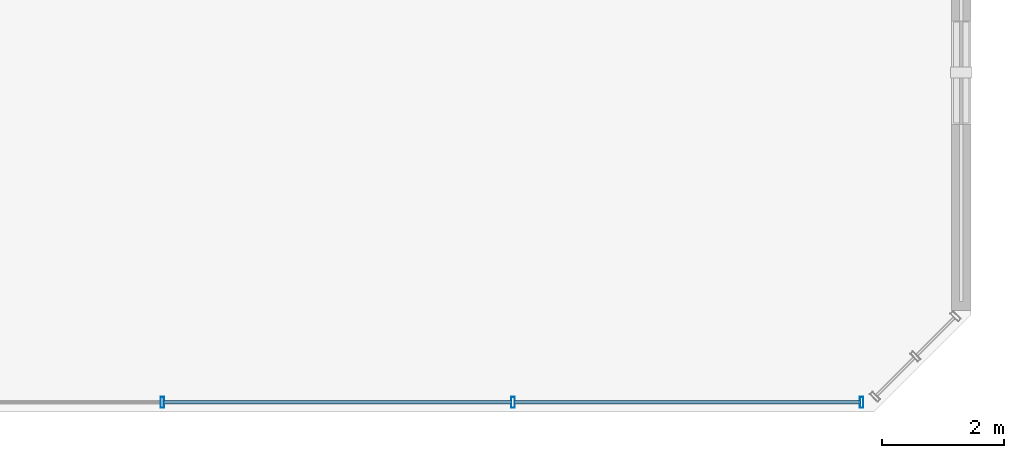
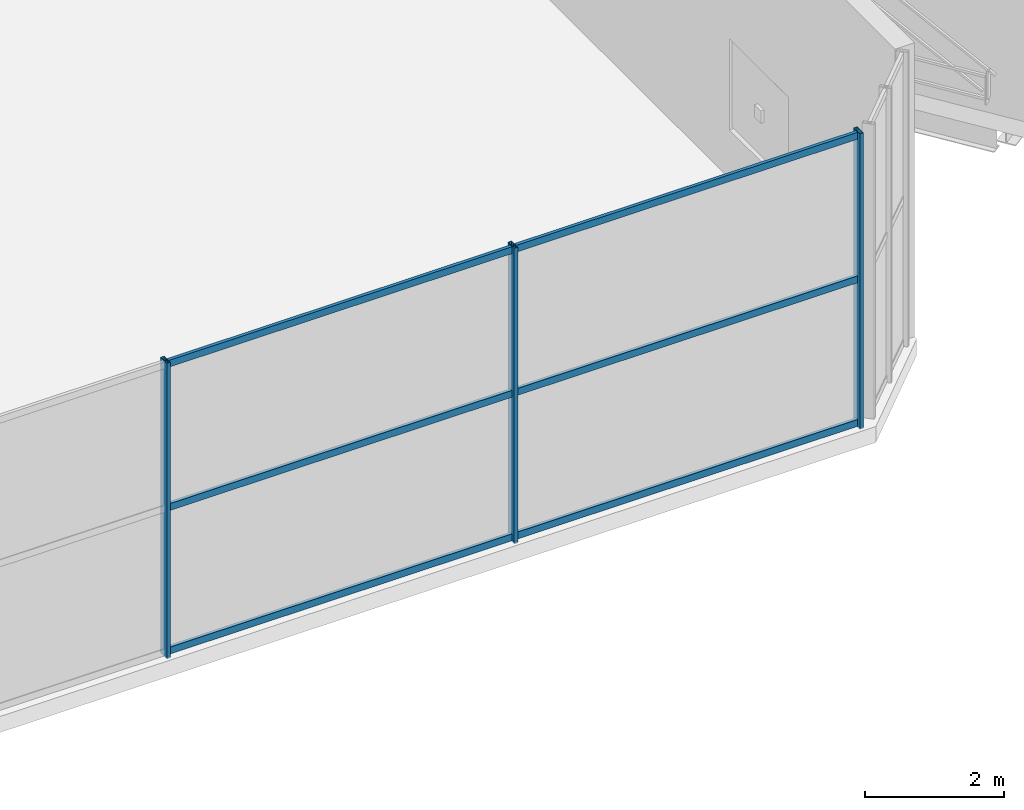
# One storey, part 8 of 32: 9 members, 1 element without a shape of its own.
"""IFC4 building model written with IfcOpenShell, lengths in metres."""

from ifc_helpers import new_model, si_unit, direction, frame, origin, origin_2d, place, context, subcontext, project, spatial, hollow_rectangle, extrude, source, transform, mapped, material, material_profile, profile_set, type_object, element, aggregate, save


model = new_model("IFC4")

# Units and contexts
model_context = context("Model", 3, precision=1e-05, world=origin(), true_north=direction((0.0, 1.0)))
body_context = subcontext(model_context, "Body", "Model", "MODEL_VIEW")
ifc_project = project(units=[si_unit("LENGTHUNIT", "METRE"), si_unit("AREAUNIT", "SQUARE_METRE"), si_unit("VOLUMEUNIT", "CUBIC_METRE"), si_unit("PLANEANGLEUNIT", "RADIAN"), si_unit("MASSUNIT", "GRAM", prefix="KILO")], contexts=[model_context])

# Site, building, storey
site_placement = place(None, origin())
site = spatial("IfcSite", under=ifc_project, at=site_placement, CompositionType="ELEMENT")
building_placement = place(site_placement, origin())
building = spatial("IfcBuilding", under=site, at=building_placement, Name="Tlacorven Tower", CompositionType="ELEMENT")
storey_placement = place(building_placement, frame((0.0, 0.0, 245.699951171875)))
storey = spatial("IfcBuildingStorey", under=building, at=storey_placement, Name="L62", CompositionType="ELEMENT", Elevation=245.699951171875)

# Curtain wall, members
ifc_material_1 = material(Name="Dark solar low-E double glazing in aluminium frame", Category="aluminium")
curtain_wall_type = type_object("IfcCurtainWallType", Name="CW-TWR-HIGH", PredefinedType="USERDEFINED", material=ifc_material_1)
curtain_wall_placement = place(storey_placement, origin())
curtain_wall = element("IfcCurtainWall", 1, at=curtain_wall_placement, inside=storey, type_object=curtain_wall_type, Name="L62 CW-TWR-HIGH Curtain Wall 285", ObjectType="UNITISED CURTAIN WALL", PredefinedType="USERDEFINED")
ifc_material_2 = material(Name="Aluminium 6063-T6 anodised", Category="aluminium")
ifc_material_profile_1 = material_profile(ifc_material_2, hollow_rectangle(XDim=0.054931640625, YDim=0.1201171875, WallThickness=0.00341796875, at=origin_2d()), Name="ALU TRANSOM 55X120")
ifc_profile_set_1 = profile_set([ifc_material_profile_1], Name="Aluminium 6063-T6 anodised")
member_type_1 = type_object("IfcMemberType", Name="CWT-03", PredefinedType="USERDEFINED", material=ifc_profile_set_1)
shared_shape_1 = source(origin(), body_context, "Body", "SweptSolid", [
    extrude(hollow_rectangle(XDim=0.054931640625, YDim=0.1201171875, WallThickness=0.00341796875, at=origin_2d()), origin(), (0.0, 0.0, 1.0), 5.689697265625),
])
member_1_placement = place(storey_placement, frame((50.585693359375, 1.9599609375, 0.06005859375), z_axis=(-1.0, 0.0, 0.0), x_axis=(0.0, -1.0, 0.0)))
member_1 = element("IfcMember", 2, at=member_1_placement, type_object=member_type_1, Name="CW-L62-285 Transom 1", ObjectType="TRANSOM", PredefinedType="USERDEFINED", context=body_context, shape_type="MappedRepresentation", body=[
    mapped(shared_shape_1, transform((0.0, 0.0, 0.0), scale=1.0)),
])
member_2_placement = place(storey_placement, frame((50.585693359375, 1.9599609375, 2.574951171875), z_axis=(-1.0, 0.0, 0.0), x_axis=(0.0, -1.0, 0.0)))
member_2 = element("IfcMember", 3, at=member_2_placement, type_object=member_type_1, Name="CW-L62-285 Transom 2", ObjectType="TRANSOM", PredefinedType="USERDEFINED", context=body_context, shape_type="MappedRepresentation", body=[
    mapped(shared_shape_1, transform((0.0, 0.0, 0.0), scale=1.0)),
])
member_3_placement = place(storey_placement, frame((50.585693359375, 1.9599609375, 5.090087890625), z_axis=(-1.0, 0.0, 0.0), x_axis=(0.0, -1.0, 0.0)))
member_3 = element("IfcMember", 4, at=member_3_placement, type_object=member_type_1, Name="CW-L62-285 Transom 3", ObjectType="TRANSOM", PredefinedType="USERDEFINED", context=body_context, shape_type="MappedRepresentation", body=[
    mapped(shared_shape_1, transform((0.0, 0.0, 0.0), scale=1.0)),
])
shared_shape_2 = source(origin(), body_context, "Body", "SweptSolid", [
    extrude(hollow_rectangle(XDim=0.054931640625, YDim=0.1201171875, WallThickness=0.00341796875, at=origin_2d()), origin(), (0.0, 0.0, 1.0), 5.7197265625),
])
member_4_placement = place(storey_placement, frame((44.85986328125, 1.9599609375, 0.06005859375), z_axis=(-1.0, 0.0, 0.0), x_axis=(0.0, -1.0, 0.0)))
member_4 = element("IfcMember", 5, at=member_4_placement, type_object=member_type_1, Name="CW-L62-285 Transom 4", ObjectType="TRANSOM", PredefinedType="USERDEFINED", context=body_context, shape_type="MappedRepresentation", body=[
    mapped(shared_shape_2, transform((0.0, 0.0, 0.0), scale=1.0)),
])
member_5_placement = place(storey_placement, frame((44.85986328125, 1.9599609375, 2.574951171875), z_axis=(-1.0, 0.0, 0.0), x_axis=(0.0, -1.0, 0.0)))
member_5 = element("IfcMember", 6, at=member_5_placement, type_object=member_type_1, Name="CW-L62-285 Transom 5", ObjectType="TRANSOM", PredefinedType="USERDEFINED", context=body_context, shape_type="MappedRepresentation", body=[
    mapped(shared_shape_2, transform((0.0, 0.0, 0.0), scale=1.0)),
])
member_6_placement = place(storey_placement, frame((44.85986328125, 1.9599609375, 5.090087890625), z_axis=(-1.0, 0.0, 0.0), x_axis=(0.0, -1.0, 0.0)))
member_6 = element("IfcMember", 7, at=member_6_placement, type_object=member_type_1, Name="CW-L62-285 Transom 6", ObjectType="TRANSOM", PredefinedType="USERDEFINED", context=body_context, shape_type="MappedRepresentation", body=[
    mapped(shared_shape_2, transform((0.0, 0.0, 0.0), scale=1.0)),
])
ifc_material_profile_2 = material_profile(ifc_material_2, hollow_rectangle(XDim=0.06005859375, YDim=0.179931640625, WallThickness=0.00390625, at=origin_2d()), Name="ALU MULLION 60X180")
ifc_profile_set_2 = profile_set([ifc_material_profile_2], Name="Aluminium 6063-T6 anodised")
member_type_2 = type_object("IfcMemberType", Name="CWM-03", PredefinedType="MULLION", material=ifc_profile_set_2)
shared_shape_3 = source(origin(), body_context, "Body", "SweptSolid", [
    extrude(hollow_rectangle(XDim=0.06005859375, YDim=0.179931640625, WallThickness=0.00390625, at=origin_2d()), origin(), (0.0, 0.0, 1.0), 5.18017578125),
])
member_7_placement = place(storey_placement, frame((50.603759765625, 1.9599609375, -0.02001953125), z_axis=(0.0, 0.0, 1.0), x_axis=(-1.0, 0.0, 0.0)))
member_7 = element("IfcMember", 8, at=member_7_placement, type_object=member_type_2, Name="CW-L62-285 Mullion 1", PredefinedType="MULLION", context=body_context, shape_type="MappedRepresentation", body=[
    mapped(shared_shape_3, transform((0.0, 0.0, 0.0), scale=1.0)),
])
member_8_placement = place(storey_placement, frame((44.8779296875, 1.9599609375, -0.02001953125), z_axis=(0.0, 0.0, 1.0), x_axis=(-1.0, 0.0, 0.0)))
member_8 = element("IfcMember", 9, at=member_8_placement, type_object=member_type_2, Name="CW-L62-285 Mullion 2", PredefinedType="MULLION", context=body_context, shape_type="MappedRepresentation", body=[
    mapped(shared_shape_3, transform((0.0, 0.0, 0.0), scale=1.0)),
])
member_9_placement = place(storey_placement, frame((39.1220703125, 1.9599609375, -0.02001953125), z_axis=(0.0, 0.0, 1.0), x_axis=(-1.0, 0.0, 0.0)))
member_9 = element("IfcMember", 10, at=member_9_placement, type_object=member_type_2, Name="CW-L62-285 Mullion 3", PredefinedType="MULLION", context=body_context, shape_type="MappedRepresentation", body=[
    mapped(shared_shape_3, transform((0.0, 0.0, 0.0), scale=1.0)),
])
aggregate(curtain_wall, [member_7, member_8, member_9, member_1, member_2, member_3, member_4, member_5, member_6])

save(model, "model.ifc")
